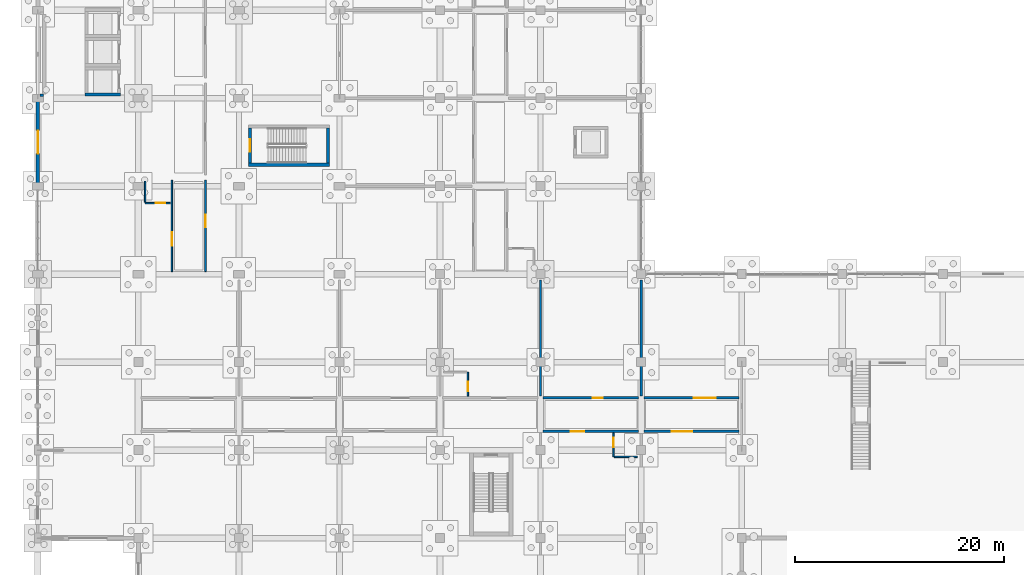
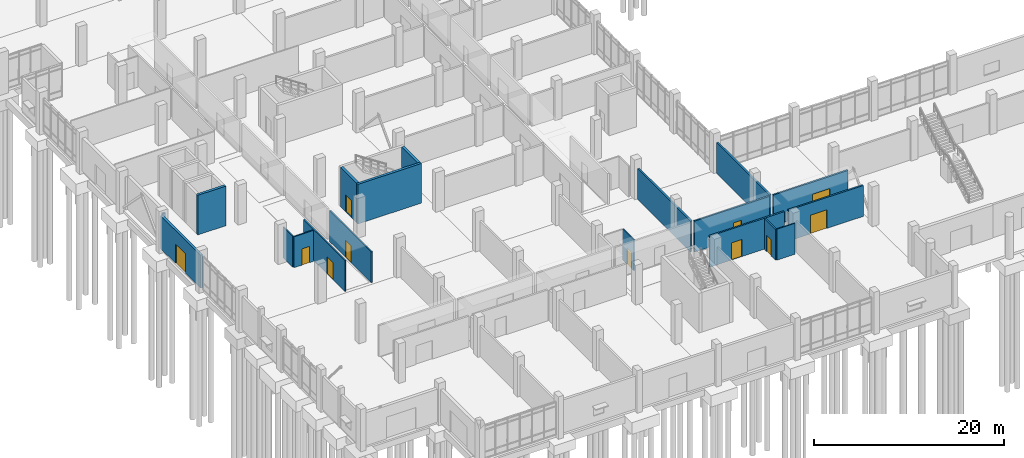
# One storey, part 103 of 136: 19 walls, 11 doors, 11 openings.
"""IFC4 building model written with IfcOpenShell, lengths in metres."""

from ifc_helpers import new_model, si_unit, direction, frame, frame_2d, origin, place, context, subcontext, project, spatial, rectangle, extrude, material, layer, layer_set, type_object, element, fill, save


model = new_model("IFC4")

# Units and contexts
model_context = context("Model", 3, precision=1e-05, world=origin(), true_north=direction((0.0, 1.0)))
body_context = subcontext(model_context, "Body", "Model", "MODEL_VIEW")
ifc_project = project(units=[si_unit("LENGTHUNIT", "METRE"), si_unit("AREAUNIT", "SQUARE_METRE"), si_unit("VOLUMEUNIT", "CUBIC_METRE"), si_unit("PLANEANGLEUNIT", "RADIAN"), si_unit("MASSUNIT", "GRAM", prefix="KILO")], contexts=[model_context])

# Site, building, storey
site_placement = place(None, origin())
site = spatial("IfcSite", under=ifc_project, at=site_placement, CompositionType="ELEMENT")
building_placement = place(site_placement, origin())
building = spatial("IfcBuilding", under=site, at=building_placement, Name="Oolite Switchyard Hospital", CompositionType="ELEMENT")
storey_placement = place(building_placement, origin())
storey = spatial("IfcBuildingStorey", under=building, at=storey_placement, Name="L00", CompositionType="ELEMENT", Elevation=0.0)

# Wall
ifc_material_1 = material(Name="Precast oolitic limestone architectural concrete C40/50", Category="masonry")
ifc_layer_1 = layer(ifc_material_1, 0.260009765625)
ifc_layer_set_1 = layer_set([ifc_layer_1], Name="WAL-EXT-260")
wall_type_1 = type_object("IfcWallType", Name="WAL-EXT-260", PredefinedType="SOLIDWALL", material=ifc_layer_set_1)
wall_1_placement = place(storey_placement, frame((0.199951171875, 50.679931640625, 0.0), z_axis=(0.0, 0.0, 1.0), x_axis=(1.0, 0.0, 0.0)))
element("IfcWall", 1, at=wall_1_placement, inside=storey, type_object=wall_type_1, Name="L00 Brace Alcove Cheek Wall 45", PredefinedType="SOLIDWALL", context=body_context, shape_type="SweptSolid", body=[
    extrude(rectangle(XDim=0.360107421875, YDim=0.260009765625, at=frame_2d((0.18017578125, 0.0))), origin(), (0.0, 0.0, 1.0), 4.239990234375),
])

# Wall, opening, door
ifc_layer_2 = layer(ifc_material_1, 0.300048828125)
ifc_layer_set_2 = layer_set([ifc_layer_2], Name="WAL-EXT-300")
wall_type_2 = type_object("IfcWallType", Name="WAL-EXT-300", PredefinedType="SOLIDWALL", material=ifc_layer_set_2)
wall_2_placement = place(storey_placement, frame((0.0, 42.0, 0.0), z_axis=(0.0, 0.0, 1.0), x_axis=(0.0, 1.0, 0.0)))
wall_2 = element("IfcWall", 2, at=wall_2_placement, inside=storey, type_object=wall_type_2, Name="L00 Exterior Spandrel Wall 44", PredefinedType="SOLIDWALL", context=body_context, shape_type="SweptSolid", body=[
    extrude(rectangle(XDim=8.39990234375, YDim=0.300048828125, at=frame_2d((4.199951171875, 0.0))), origin(), (0.0, 0.0, 1.0), 4.239990234375),
])
opening_1_placement = place(wall_2_placement, frame((3.10009765625, 0.0, 0.0)))
opening_1 = element("IfcOpeningElement", 3, at=opening_1_placement, cuts=wall_2, Name="Opening EX-17", PredefinedType="OPENING", context=body_context, shape_type="SweptSolid", body=[
    extrude(rectangle(XDim=2.199951171875, YDim=2.5, at=frame_2d((1.10009765625, 1.25))), frame((0.0, 0.16015625, 0.0), z_axis=(0.0, -1.0, 0.0), x_axis=(1.0, 0.0, 0.0)), (0.0, 0.0, 1.0), 0.320068359375),
])
ifc_material_2 = material(Name="Thermally broken aluminum frame with laminated impact glazing", Category="aluminium")
door_type_1 = type_object("IfcDoorType", Name="DR-EXT-220X250", OperationType="NOTDEFINED", PredefinedType="DOOR", material=ifc_material_2)
door_1_placement = place(opening_1_placement, origin())
door_1 = element("IfcDoor", 4, at=door_1_placement, inside=storey, type_object=door_type_1, Name="L00 Exterior EX EX-17", OperationType="DOUBLE_DOOR_SINGLE_SWING", OverallHeight=2.5, OverallWidth=2.199951171875, PredefinedType="DOOR", context=body_context, shape_type="SweptSolid", body=[
    extrude(rectangle(XDim=2.199951171875, YDim=2.5, at=frame_2d((1.10009765625, 1.25))), frame((0.0, 0.02490234375, 0.0), z_axis=(0.0, -1.0, 0.0), x_axis=(1.0, 0.0, 0.0)), (0.0, 0.0, 1.0), 0.050048828125),
])
fill(opening_1, door_1)

ifc_material_3 = material(Name="Moisture-resistant gypsum board on steel studs", Category="steel")
ifc_layer_3 = layer(ifc_material_3, 0.14990234375)
ifc_layer_set_3 = layer_set([ifc_layer_3], Name="WAL-PART-150")
wall_type_3 = type_object("IfcWallType", Name="WAL-PART-150", PredefinedType="PARTITIONING", material=ifc_layer_set_3)
wall_3_placement = place(storey_placement, frame((41.050048828125, 21.949951171875, 0.0), z_axis=(0.0, 0.0, 1.0), x_axis=(0.0, 1.0, 0.0)))
wall_3 = element("IfcWall", 5, at=wall_3_placement, inside=storey, type_object=wall_type_3, Name="L00 Interior Partition 14", PredefinedType="PARTITIONING", context=body_context, shape_type="SweptSolid", body=[
    extrude(rectangle(XDim=2.300048828125, YDim=0.14990234375, at=frame_2d((1.14990234375, 0.0))), origin(), (0.0, 0.0, 1.0), 3.97998046875),
])
opening_2_placement = place(wall_3_placement, frame((0.449951171875, 0.0, 0.0)))
opening_2 = element("IfcOpeningElement", 6, at=opening_2_placement, cuts=wall_3, Name="Opening D-0013", PredefinedType="OPENING", context=body_context, shape_type="SweptSolid", body=[
    extrude(rectangle(XDim=0.949951171875, YDim=2.10009765625, at=frame_2d((0.47509765625, 1.050048828125))), frame((0.0, 0.0849609375, 0.0), z_axis=(0.0, -1.0, 0.0), x_axis=(1.0, 0.0, 0.0)), (0.0, 0.0, 1.0), 0.169921875),
])
ifc_material_4 = material(Name="Solid-core antimicrobial hardwood leaf in steel frame", Category="steel")
door_type_2 = type_object("IfcDoorType", Name="DR-BATH-095X210", OperationType="NOTDEFINED", PredefinedType="DOOR", material=ifc_material_4)
door_2_placement = place(opening_2_placement, origin())
door_2 = element("IfcDoor", 7, at=door_2_placement, inside=storey, type_object=door_type_2, Name="L00 Interior Door D-0013", OperationType="SINGLE_SWING_RIGHT", OverallHeight=2.10009765625, OverallWidth=0.949951171875, PredefinedType="DOOR", context=body_context, shape_type="SweptSolid", body=[
    extrude(rectangle(XDim=0.949951171875, YDim=2.10009765625, at=frame_2d((0.47509765625, 1.050048828125))), frame((0.0, 0.02490234375, 0.0), z_axis=(0.0, -1.0, 0.0), x_axis=(1.0, 0.0, 0.0)), (0.0, 0.0, 1.0), 0.050048828125),
])
fill(opening_2, door_2)

wall_4_placement = place(storey_placement, frame((54.949951171875, 16.14990234375, 0.0), z_axis=(0.0, 0.0, 1.0), x_axis=(0.0, 1.0, 0.0)))
wall_4 = element("IfcWall", 8, at=wall_4_placement, inside=storey, type_object=wall_type_3, Name="L00 Interior Partition 18", PredefinedType="PARTITIONING", context=body_context, shape_type="SweptSolid", body=[
    extrude(rectangle(XDim=2.300048828125, YDim=0.14990234375, at=frame_2d((1.14990234375, 0.0))), origin(), (0.0, 0.0, 1.0), 3.97998046875),
])
opening_3_placement = place(wall_4_placement, frame((0.949951171875, 0.0, 0.0)))
opening_3 = element("IfcOpeningElement", 9, at=opening_3_placement, cuts=wall_4, Name="Opening D-0015", PredefinedType="OPENING", context=body_context, shape_type="SweptSolid", body=[
    extrude(rectangle(XDim=0.89990234375, YDim=2.10009765625, at=frame_2d((0.449951171875, 1.050048828125))), frame((0.0, 0.0849609375, 0.0), z_axis=(0.0, -1.0, 0.0), x_axis=(1.0, 0.0, 0.0)), (0.0, 0.0, 1.0), 0.169921875),
])
door_type_3 = type_object("IfcDoorType", Name="DR-BATH-090X210", OperationType="NOTDEFINED", PredefinedType="DOOR", material=ifc_material_4)
door_3_placement = place(opening_3_placement, origin())
door_3 = element("IfcDoor", 10, at=door_3_placement, inside=storey, type_object=door_type_3, Name="L00 Interior Door D-0015", OperationType="SINGLE_SWING_RIGHT", OverallHeight=2.10009765625, OverallWidth=0.89990234375, PredefinedType="DOOR", context=body_context, shape_type="SweptSolid", body=[
    extrude(rectangle(XDim=0.89990234375, YDim=2.10009765625, at=frame_2d((0.449951171875, 1.050048828125))), frame((0.0, 0.02490234375, 0.0), z_axis=(0.0, -1.0, 0.0), x_axis=(1.0, 0.0, 0.0)), (0.0, 0.0, 1.0), 0.050048828125),
])
fill(opening_3, door_3)

# Wall
wall_5_placement = place(storey_placement, frame((55.050048828125, 16.14990234375, 0.0), z_axis=(0.0, 0.0, 1.0), x_axis=(1.0, 0.0, 0.0)))
element("IfcWall", 11, at=wall_5_placement, inside=storey, type_object=wall_type_3, Name="L00 Interior Partition 19", PredefinedType="PARTITIONING", context=body_context, shape_type="SweptSolid", body=[
    extrude(rectangle(XDim=2.199951171875, YDim=0.14990234375, at=frame_2d((1.10009765625, 0.0))), origin(), (0.0, 0.0, 1.0), 3.97998046875),
])

# Wall, opening, door
wall_6_placement = place(storey_placement, frame((10.25, 40.389892578125, 0.0), z_axis=(0.0, 0.0, 1.0), x_axis=(1.0, 0.0, 0.0)))
wall_6 = element("IfcWall", 12, at=wall_6_placement, inside=storey, type_object=wall_type_3, Name="L00 Interior Partition 87", PredefinedType="PARTITIONING", context=body_context, shape_type="SweptSolid", body=[
    extrude(rectangle(XDim=2.39990234375, YDim=0.14990234375, at=frame_2d((1.199951171875, 0.0))), origin(), (0.0, 0.0, 1.0), 3.97998046875),
])
opening_4_placement = place(wall_6_placement, frame((1.0, 0.0, 0.0)))
opening_4 = element("IfcOpeningElement", 13, at=opening_4_placement, cuts=wall_6, Name="Opening D-0054", PredefinedType="OPENING", context=body_context, shape_type="SweptSolid", body=[
    extrude(rectangle(XDim=0.89990234375, YDim=2.10009765625, at=frame_2d((0.449951171875, 1.050048828125))), frame((0.0, 0.0849609375, 0.0), z_axis=(0.0, -1.0, 0.0), x_axis=(1.0, 0.0, 0.0)), (0.0, 0.0, 1.0), 0.169921875),
])
door_4_placement = place(opening_4_placement, origin())
door_4 = element("IfcDoor", 14, at=door_4_placement, inside=storey, type_object=door_type_3, Name="L00 Interior Door D-0054", OperationType="SINGLE_SWING_RIGHT", OverallHeight=2.10009765625, OverallWidth=0.89990234375, PredefinedType="DOOR", context=body_context, shape_type="SweptSolid", body=[
    extrude(rectangle(XDim=0.89990234375, YDim=2.10009765625, at=frame_2d((0.449951171875, 1.050048828125))), frame((0.0, 0.02490234375, 0.0), z_axis=(0.0, -1.0, 0.0), x_axis=(1.0, 0.0, 0.0)), (0.0, 0.0, 1.0), 0.050048828125),
])
fill(opening_4, door_4)

# Wall
wall_7_placement = place(storey_placement, frame((10.25, 40.489990234375, 0.0), z_axis=(0.0, 0.0, 1.0), x_axis=(0.0, 1.0, 0.0)))
element("IfcWall", 15, at=wall_7_placement, inside=storey, type_object=wall_type_3, Name="L00 Interior Partition 88", PredefinedType="PARTITIONING", context=body_context, shape_type="SweptSolid", body=[
    extrude(rectangle(XDim=2.0, YDim=0.14990234375, at=frame_2d((1.0, 0.0))), origin(), (0.0, 0.0, 1.0), 3.97998046875),
])

# Wall, opening, door
ifc_layer_4 = layer(ifc_material_3, 0.1650390625)
ifc_layer_set_4 = layer_set([ifc_layer_4], Name="WAL-PART-165")
wall_type_4 = type_object("IfcWallType", Name="WAL-PART-165", PredefinedType="PARTITIONING", material=ifc_layer_set_4)
wall_8_placement = place(storey_placement, frame((12.800048828125, 33.85009765625, 0.0), z_axis=(0.0, 0.0, 1.0), x_axis=(0.0, 1.0, 0.0)))
wall_8 = element("IfcWall", 16, at=wall_8_placement, inside=storey, type_object=wall_type_4, Name="L00 Interior Partition 86", PredefinedType="PARTITIONING", context=body_context, shape_type="SweptSolid", body=[
    extrude(rectangle(XDim=8.739990234375, YDim=0.1650390625, at=frame_2d((4.3701171875, 0.0))), origin(), (0.0, 0.0, 1.0), 3.97998046875),
])
opening_5_placement = place(wall_8_placement, frame((2.449951171875, 0.0, 0.0)))
opening_5 = element("IfcOpeningElement", 17, at=opening_5_placement, cuts=wall_8, Name="Opening D-0053", PredefinedType="OPENING", context=body_context, shape_type="SweptSolid", body=[
    extrude(rectangle(XDim=1.300048828125, YDim=2.199951171875, at=frame_2d((0.64990234375, 1.10009765625))), frame((0.0, 0.092529296875, 0.0), z_axis=(0.0, -1.0, 0.0), x_axis=(1.0, 0.0, 0.0)), (0.0, 0.0, 1.0), 0.18505859375),
])
door_type_4 = type_object("IfcDoorType", Name="DR-WARD-130X220", OperationType="NOTDEFINED", PredefinedType="DOOR", material=ifc_material_4)
door_5_placement = place(opening_5_placement, origin())
door_5 = element("IfcDoor", 18, at=door_5_placement, inside=storey, type_object=door_type_4, Name="L00 Interior Door D-0053", OperationType="SINGLE_SWING_LEFT", OverallHeight=2.199951171875, OverallWidth=1.300048828125, PredefinedType="DOOR", context=body_context, shape_type="SweptSolid", body=[
    extrude(rectangle(XDim=1.300048828125, YDim=2.199951171875, at=frame_2d((0.64990234375, 1.10009765625))), frame((0.0, 0.02490234375, 0.0), z_axis=(0.0, -1.0, 0.0), x_axis=(1.0, 0.0, 0.0)), (0.0, 0.0, 1.0), 0.050048828125),
])
fill(opening_5, door_5)

wall_9_placement = place(storey_placement, frame((16.0, 33.85009765625, 0.0), z_axis=(0.0, 0.0, 1.0), x_axis=(0.0, 1.0, 0.0)))
wall_9 = element("IfcWall", 19, at=wall_9_placement, inside=storey, type_object=wall_type_4, Name="L00 Interior Partition 89", PredefinedType="PARTITIONING", context=body_context, shape_type="SweptSolid", body=[
    extrude(rectangle(XDim=8.739990234375, YDim=0.1650390625, at=frame_2d((4.3701171875, 0.0))), origin(), (0.0, 0.0, 1.0), 3.97998046875),
])
opening_6_placement = place(wall_9_placement, frame((4.25, 0.0, 0.0)))
opening_6 = element("IfcOpeningElement", 20, at=opening_6_placement, cuts=wall_9, Name="Opening D-0055", PredefinedType="OPENING", context=body_context, shape_type="SweptSolid", body=[
    extrude(rectangle(XDim=1.14990234375, YDim=2.199951171875, at=frame_2d((0.574951171875, 1.10009765625))), frame((0.0, 0.092529296875, 0.0), z_axis=(0.0, -1.0, 0.0), x_axis=(1.0, 0.0, 0.0)), (0.0, 0.0, 1.0), 0.18505859375),
])
door_type_5 = type_object("IfcDoorType", Name="DR-CLIN-115X220", OperationType="NOTDEFINED", PredefinedType="DOOR", material=ifc_material_4)
door_6_placement = place(opening_6_placement, origin())
door_6 = element("IfcDoor", 21, at=door_6_placement, inside=storey, type_object=door_type_5, Name="L00 Interior Door D-0055", OperationType="SINGLE_SWING_RIGHT", OverallHeight=2.199951171875, OverallWidth=1.14990234375, PredefinedType="DOOR", context=body_context, shape_type="SweptSolid", body=[
    extrude(rectangle(XDim=1.14990234375, YDim=2.199951171875, at=frame_2d((0.574951171875, 1.10009765625))), frame((0.0, 0.02490234375, 0.0), z_axis=(0.0, -1.0, 0.0), x_axis=(1.0, 0.0, 0.0)), (0.0, 0.0, 1.0), 0.050048828125),
])
fill(opening_6, door_6)

# Walls
ifc_material_5 = material(Name="Precast concrete C40/50", Category="concrete")
ifc_layer_5 = layer(ifc_material_5, 0.219970703125)
ifc_layer_set_5 = layer_set([ifc_layer_5], Name="WAL-RAD-220")
wall_type_5 = type_object("IfcWallType", Name="WAL-RAD-220", PredefinedType="PARTITIONING", material=ifc_layer_set_5)
for number, where, z_axis, x_axis, name in (
    (22, (48.0, 21.949951171875, 0.0), (0.0, 0.0, 1.0), (0.0, 1.0, 0.0), "L00 Interior Partition 22"),
    (23, (57.60009765625, 21.949951171875, 0.0), (0.0, 0.0, 1.0), (0.0, 1.0, 0.0), "L00 Interior Partition 26"),
):
    element("IfcWall", number, at=place(storey_placement, frame(where, z_axis=z_axis, x_axis=x_axis)), inside=storey, type_object=wall_type_5, Name=name, PredefinedType="PARTITIONING", context=body_context, shape_type="SweptSolid", body=[
        extrude(rectangle(XDim=11.10009765625, YDim=0.219970703125, at=frame_2d((5.550048828125, 0.0))), origin(), (0.0, 0.0, 1.0), 3.97998046875),
    ])
ifc_material_6 = material(Name="Concrete C50/60", Category="concrete")
ifc_layer_6 = layer(ifc_material_6, 0.300048828125)
ifc_layer_set_6 = layer_set([ifc_layer_6], Name="WAL-SHR-300")
wall_type_6 = type_object("IfcWallType", Name="WAL-SHR-300", PredefinedType="SHEAR", material=ifc_layer_set_6)
wall_10_placement = place(storey_placement, frame((20.10009765625, 44.050048828125, 0.0), z_axis=(0.0, 0.0, 1.0), x_axis=(1.0, 0.0, 0.0)))
element("IfcWall", 24, at=wall_10_placement, inside=storey, type_object=wall_type_6, Name="L00 Core Shear Wall ST-01", PredefinedType="SHEAR", context=body_context, shape_type="SweptSolid", body=[
    extrude(rectangle(XDim=7.75, YDim=0.300048828125, at=frame_2d((3.875, 0.0))), origin(), (0.0, 0.0, 1.0), 5.10009765625),
])
wall_11_placement = place(storey_placement, frame((27.699951171875, 44.199951171875, 0.0), z_axis=(0.0, 0.0, 1.0), x_axis=(0.0, 1.0, 0.0)))
element("IfcWall", 25, at=wall_11_placement, inside=storey, type_object=wall_type_6, Name="L00 Core Shear Wall ST-01", PredefinedType="SHEAR", context=body_context, shape_type="SweptSolid", body=[
    extrude(rectangle(XDim=3.360107421875, YDim=0.300048828125, at=frame_2d((1.68017578125, 0.0))), origin(), (0.0, 0.0, 1.0), 5.10009765625),
])

# Wall, opening, door
wall_12_placement = place(storey_placement, frame((20.25, 47.56005859375, 0.0), z_axis=(0.0, 0.0, 1.0), x_axis=(0.0, -1.0, 0.0)))
wall_12 = element("IfcWall", 26, at=wall_12_placement, inside=storey, type_object=wall_type_6, Name="L00 Core Shear Wall ST-01", PredefinedType="SHEAR", context=body_context, shape_type="SweptSolid", body=[
    extrude(rectangle(XDim=3.360107421875, YDim=0.300048828125, at=frame_2d((1.68017578125, 0.0))), origin(), (0.0, 0.0, 1.0), 5.10009765625),
])
opening_7_placement = place(wall_12_placement, frame((1.080078125, 0.0, 0.0)))
opening_7 = element("IfcOpeningElement", 27, at=opening_7_placement, cuts=wall_12, Name="Opening SD-001", PredefinedType="OPENING", context=body_context, shape_type="SweptSolid", body=[
    extrude(rectangle(XDim=1.199951171875, YDim=2.199951171875, at=frame_2d((0.60009765625, 1.10009765625))), frame((0.0, 0.16015625, 0.0), z_axis=(0.0, -1.0, 0.0), x_axis=(1.0, 0.0, 0.0)), (0.0, 0.0, 1.0), 0.320068359375),
])
ifc_material_7 = material(Name="Hollow metal fire-rated steel door assembly", Category="steel")
door_type_6 = type_object("IfcDoorType", Name="DR-STR-120X220", OperationType="NOTDEFINED", PredefinedType="DOOR", material=ifc_material_7)
door_7_placement = place(opening_7_placement, origin())
door_7 = element("IfcDoor", 28, at=door_7_placement, inside=storey, type_object=door_type_6, Name="L00 ST-01 Exit Stair Door SD-001", OperationType="SINGLE_SWING_LEFT", OverallHeight=2.199951171875, OverallWidth=1.199951171875, PredefinedType="DOOR", context=body_context, shape_type="SweptSolid", body=[
    extrude(rectangle(XDim=1.199951171875, YDim=2.199951171875, at=frame_2d((0.60009765625, 1.10009765625))), frame((0.0, 0.02490234375, 0.0), z_axis=(0.0, -1.0, 0.0), x_axis=(1.0, 0.0, 0.0)), (0.0, 0.0, 1.0), 0.050048828125),
])
fill(opening_7, door_7)

# Wall
wall_13_placement = place(storey_placement, frame((4.5, 50.75, 0.0), z_axis=(0.0, 0.0, 1.0), x_axis=(1.0, 0.0, 0.0)))
element("IfcWall", 29, at=wall_13_placement, inside=storey, type_object=wall_type_6, Name="L00 Lift Shaft Shear Wall EL-05", PredefinedType="SHEAR", context=body_context, shape_type="SweptSolid", body=[
    extrude(rectangle(XDim=3.39990234375, YDim=0.300048828125, at=frame_2d((1.699951171875, 0.0))), origin(), (0.0, 0.0, 1.0), 5.10009765625),
])

# Wall, opening, door
ifc_layer_7 = layer(ifc_material_3, 0.199951171875)
ifc_layer_set_7 = layer_set([ifc_layer_7], Name="WAL-SMK-200")
wall_type_7 = type_object("IfcWallType", Name="WAL-SMK-200", PredefinedType="PARTITIONING", material=ifc_layer_set_7)
wall_14_placement = place(storey_placement, frame((48.25, 18.60009765625, 0.0), z_axis=(0.0, 0.0, 1.0), x_axis=(1.0, 0.0, 0.0)))
wall_14 = element("IfcWall", 30, at=wall_14_placement, inside=storey, type_object=wall_type_7, Name="L00 Interior Partition 17", PredefinedType="PARTITIONING", context=body_context, shape_type="SweptSolid", body=[
    extrude(rectangle(XDim=9.10009765625, YDim=0.199951171875, at=frame_2d((4.550048828125, 0.0))), origin(), (0.0, 0.0, 1.0), 3.97998046875),
])
opening_8_placement = place(wall_14_placement, frame((2.64990234375, 0.0, 0.0)))
opening_8 = element("IfcOpeningElement", 31, at=opening_8_placement, cuts=wall_14, Name="Opening D-0014", PredefinedType="OPENING", context=body_context, shape_type="SweptSolid", body=[
    extrude(rectangle(XDim=1.25, YDim=2.199951171875, at=frame_2d((0.625, 1.10009765625))), frame((0.0, 0.10986328125, 0.0), z_axis=(0.0, -1.0, 0.0), x_axis=(1.0, 0.0, 0.0)), (0.0, 0.0, 1.0), 0.219970703125),
])
door_type_7 = type_object("IfcDoorType", Name="DR-WARD-125X220", OperationType="NOTDEFINED", PredefinedType="DOOR", material=ifc_material_4)
door_8_placement = place(opening_8_placement, origin())
door_8 = element("IfcDoor", 32, at=door_8_placement, inside=storey, type_object=door_type_7, Name="L00 Interior Door D-0014", OperationType="SINGLE_SWING_LEFT", OverallHeight=2.199951171875, OverallWidth=1.25, PredefinedType="DOOR", context=body_context, shape_type="SweptSolid", body=[
    extrude(rectangle(XDim=1.25, YDim=2.199951171875, at=frame_2d((0.625, 1.10009765625))), frame((0.0, 0.02490234375, 0.0), z_axis=(0.0, -1.0, 0.0), x_axis=(1.0, 0.0, 0.0)), (0.0, 0.0, 1.0), 0.050048828125),
])
fill(opening_8, door_8)

wall_15_placement = place(storey_placement, frame((48.25, 21.800048828125, 0.0), z_axis=(0.0, 0.0, 1.0), x_axis=(1.0, 0.0, 0.0)))
wall_15 = element("IfcWall", 33, at=wall_15_placement, inside=storey, type_object=wall_type_7, Name="L00 Interior Partition 21", PredefinedType="PARTITIONING", context=body_context, shape_type="SweptSolid", body=[
    extrude(rectangle(XDim=9.10009765625, YDim=0.199951171875, at=frame_2d((4.550048828125, 0.0))), origin(), (0.0, 0.0, 1.0), 3.97998046875),
])
opening_9_placement = place(wall_15_placement, frame((4.75, 0.0, 0.0)))
opening_9 = element("IfcOpeningElement", 34, at=opening_9_placement, cuts=wall_15, Name="Opening D-0016", PredefinedType="OPENING", context=body_context, shape_type="SweptSolid", body=[
    extrude(rectangle(XDim=0.949951171875, YDim=2.10009765625, at=frame_2d((0.47509765625, 1.050048828125))), frame((0.0, 0.10986328125, 0.0), z_axis=(0.0, -1.0, 0.0), x_axis=(1.0, 0.0, 0.0)), (0.0, 0.0, 1.0), 0.219970703125),
])
door_9_placement = place(opening_9_placement, origin())
door_9 = element("IfcDoor", 35, at=door_9_placement, inside=storey, type_object=door_type_2, Name="L00 Interior Door D-0016", OperationType="SINGLE_SWING_RIGHT", OverallHeight=2.10009765625, OverallWidth=0.949951171875, PredefinedType="DOOR", context=body_context, shape_type="SweptSolid", body=[
    extrude(rectangle(XDim=0.949951171875, YDim=2.10009765625, at=frame_2d((0.47509765625, 1.050048828125))), frame((0.0, 0.02490234375, 0.0), z_axis=(0.0, -1.0, 0.0), x_axis=(1.0, 0.0, 0.0)), (0.0, 0.0, 1.0), 0.050048828125),
])
fill(opening_9, door_9)

wall_16_placement = place(storey_placement, frame((57.85009765625, 18.60009765625, 0.0), z_axis=(0.0, 0.0, 1.0), x_axis=(1.0, 0.0, 0.0)))
wall_16 = element("IfcWall", 36, at=wall_16_placement, inside=storey, type_object=wall_type_7, Name="L00 Interior Partition 23", PredefinedType="PARTITIONING", context=body_context, shape_type="SweptSolid", body=[
    extrude(rectangle(XDim=9.099853515625, YDim=0.199951171875, at=frame_2d((4.5498046875, 0.0))), origin(), (0.0, 0.0, 1.0), 3.97998046875),
])
opening_10_placement = place(wall_16_placement, frame((2.64990234375, 0.0, 0.0)))
opening_10 = element("IfcOpeningElement", 37, at=opening_10_placement, cuts=wall_16, Name="Opening D-0017", PredefinedType="OPENING", context=body_context, shape_type="SweptSolid", body=[
    extrude(rectangle(XDim=2.0, YDim=2.39990234375, at=frame_2d((1.0, 1.199951171875))), frame((0.0, 0.10986328125, 0.0), z_axis=(0.0, -1.0, 0.0), x_axis=(1.0, 0.0, 0.0)), (0.0, 0.0, 1.0), 0.219970703125),
])
door_type_8 = type_object("IfcDoorType", Name="DR-OR-200X240", OperationType="NOTDEFINED", PredefinedType="DOOR", material=ifc_material_7)
door_10_placement = place(opening_10_placement, origin())
door_10 = element("IfcDoor", 38, at=door_10_placement, inside=storey, type_object=door_type_8, Name="L00 Interior Door D-0017", OperationType="DOUBLE_DOOR_SINGLE_SWING", OverallHeight=2.39990234375, OverallWidth=2.0, PredefinedType="DOOR", context=body_context, shape_type="SweptSolid", body=[
    extrude(rectangle(XDim=2.0, YDim=2.39990234375, at=frame_2d((1.0, 1.199951171875))), frame((0.0, 0.02490234375, 0.0), z_axis=(0.0, -1.0, 0.0), x_axis=(1.0, 0.0, 0.0)), (0.0, 0.0, 1.0), 0.050048828125),
])
fill(opening_10, door_10)

wall_17_placement = place(storey_placement, frame((57.85009765625, 21.800048828125, 0.0), z_axis=(0.0, 0.0, 1.0), x_axis=(1.0, 0.0, 0.0)))
wall_17 = element("IfcWall", 39, at=wall_17_placement, inside=storey, type_object=wall_type_7, Name="L00 Interior Partition 25", PredefinedType="PARTITIONING", context=body_context, shape_type="SweptSolid", body=[
    extrude(rectangle(XDim=9.099853515625, YDim=0.199951171875, at=frame_2d((4.5498046875, 0.0))), origin(), (0.0, 0.0, 1.0), 3.97998046875),
])
opening_11_placement = place(wall_17_placement, frame((4.75, 0.0, 0.0)))
opening_11 = element("IfcOpeningElement", 40, at=opening_11_placement, cuts=wall_17, Name="Opening D-0018", PredefinedType="OPENING", context=body_context, shape_type="SweptSolid", body=[
    extrude(rectangle(XDim=2.10009765625, YDim=2.39990234375, at=frame_2d((1.050048828125, 1.199951171875))), frame((0.0, 0.10986328125, 0.0), z_axis=(0.0, -1.0, 0.0), x_axis=(1.0, 0.0, 0.0)), (0.0, 0.0, 1.0), 0.219970703125),
])
door_type_9 = type_object("IfcDoorType", Name="DR-IMG-210X240", OperationType="NOTDEFINED", PredefinedType="DOOR", material=ifc_material_7)
door_11_placement = place(opening_11_placement, origin())
door_11 = element("IfcDoor", 41, at=door_11_placement, inside=storey, type_object=door_type_9, Name="L00 Interior Door D-0018", OperationType="DOUBLE_DOOR_SINGLE_SWING", OverallHeight=2.39990234375, OverallWidth=2.10009765625, PredefinedType="DOOR", context=body_context, shape_type="SweptSolid", body=[
    extrude(rectangle(XDim=2.10009765625, YDim=2.39990234375, at=frame_2d((1.050048828125, 1.199951171875))), frame((0.0, 0.02490234375, 0.0), z_axis=(0.0, -1.0, 0.0), x_axis=(1.0, 0.0, 0.0)), (0.0, 0.0, 1.0), 0.050048828125),
])
fill(opening_11, door_11)

save(model, "model.ifc")
